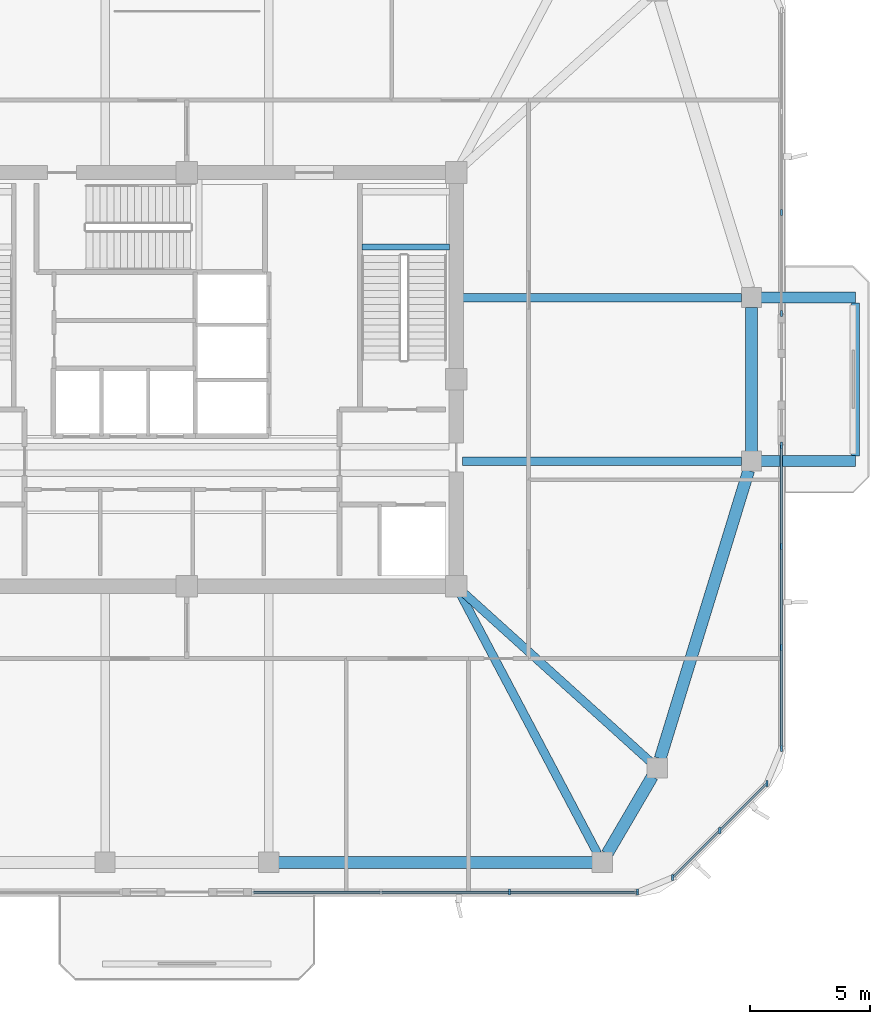
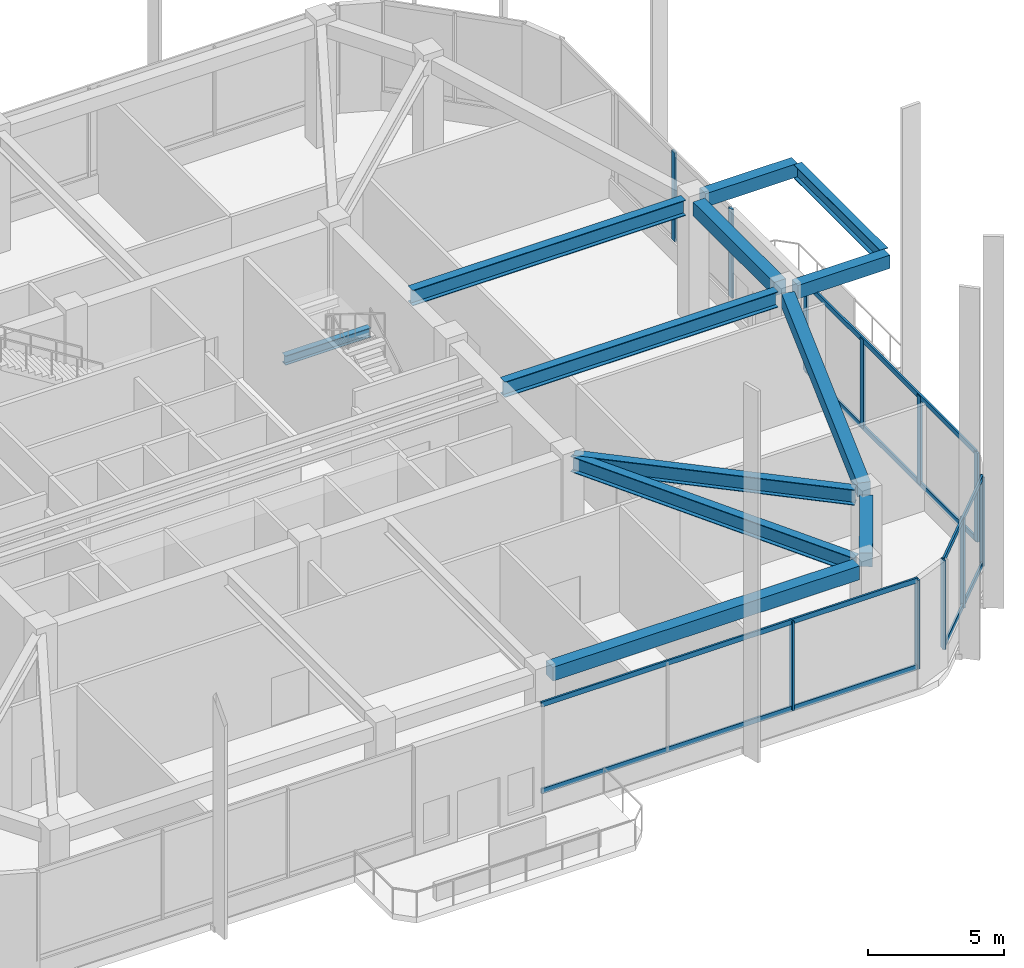
# One storey, part 3 of 14: 17 members, 12 beams, 4 elements without a shape of their own.
"""IFC4 building model written with IfcOpenShell, lengths in metres."""

from ifc_helpers import new_model, si_unit, derived_unit, direction, frame, origin, origin_2d, place, context, subcontext, project, spatial, rectangle, i_section, extrude, material, material_profile, profile_set, type_object, element, aggregate, save


model = new_model("IFC4")

# Units and contexts
model_context = context("Model", 3, precision=1e-05, world=origin(), true_north=direction((0.0, 1.0)))
body_context = subcontext(model_context, "Body", "Model", "MODEL_VIEW")
ifc_project = project(units=[si_unit("LENGTHUNIT", "METRE"), si_unit("AREAUNIT", "SQUARE_METRE"), si_unit("VOLUMEUNIT", "CUBIC_METRE"), si_unit("PLANEANGLEUNIT", "RADIAN"), si_unit("MASSUNIT", "GRAM", prefix="KILO"), derived_unit("THERMALTRANSMITTANCEUNIT", [(si_unit("POWERUNIT", "WATT"), 1), (si_unit("LENGTHUNIT", "METRE"), -2), (si_unit("THERMODYNAMICTEMPERATUREUNIT", "KELVIN"), -1)])], contexts=[model_context])

# Site, building, storey
site_placement = place(None, origin())
site = spatial("IfcSite", under=ifc_project, at=site_placement, CompositionType="ELEMENT")
building_placement = place(site_placement, origin())
building = spatial("IfcBuilding", under=site, at=building_placement, Name="Koralith Skygarden Medical Center", CompositionType="ELEMENT")
storey_placement = place(building_placement, frame((0.0, 0.0, 237.06005859375)))
storey = spatial("IfcBuildingStorey", under=building, at=storey_placement, Name="L61", CompositionType="ELEMENT", Elevation=237.06005859375)

# Curtain wall, members
ifc_material_1 = material(Name="Clear Laminated Glass", Category="glass")
curtain_wall_type = type_object("IfcCurtainWallType", Name="CW-7 Sky-Garden & Pool Conservatory Wall", PredefinedType="NOTDEFINED", material=ifc_material_1)
curtain_wall_1_placement = place(storey_placement, origin())
curtain_wall_1 = element("IfcCurtainWall", 1, at=curtain_wall_1_placement, inside=storey, type_object=curtain_wall_type, Name="Curtain Wall CW-L61-S-R", PredefinedType="NOTDEFINED")
ifc_material_2 = material(Name="Aluminium 6063-T6", Category="aluminium")
ifc_material_profile_1 = material_profile(ifc_material_2, rectangle(XDim=0.0859375, YDim=0.25, at=origin_2d()), Name="MUL86X250")
ifc_profile_set_1 = profile_set([ifc_material_profile_1], Name="Aluminium 6063-T6")
member_type_1 = type_object("IfcMemberType", Name="CW-7 Extruded Mullion 86x250", PredefinedType="MULLION", material=ifc_profile_set_1)
member_1_placement = place(storey_placement, frame((50.409912109375, 4.580078125, 0.849853515625), z_axis=(0.0, 0.0, 1.0), x_axis=(1.0, 0.0, 0.0)))
member_1 = element("IfcMember", 2, at=member_1_placement, type_object=member_type_1, Name="CW-L61-S-R Mullion 3", PredefinedType="MULLION", context=body_context, shape_type="SweptSolid", body=[
    extrude(rectangle(XDim=0.0859375, YDim=0.25, at=origin_2d()), origin(), (0.0, 0.0, 1.0), 4.0),
])
member_2_placement = place(storey_placement, frame((55.7451171875, 4.580078125, 0.849853515625), z_axis=(0.0, 0.0, 1.0), x_axis=(1.0, 0.0, 0.0)))
member_2 = element("IfcMember", 3, at=member_2_placement, type_object=member_type_1, Name="CW-L61-S-R Mullion 4", PredefinedType="MULLION", context=body_context, shape_type="SweptSolid", body=[
    extrude(rectangle(XDim=0.0859375, YDim=0.25, at=origin_2d()), origin(), (0.0, 0.0, 1.0), 4.0),
])

curtain_wall_2_placement = place(storey_placement, origin())
curtain_wall_2 = element("IfcCurtainWall", 4, at=curtain_wall_2_placement, inside=storey, type_object=curtain_wall_type, Name="Curtain Wall CW-L61-SE", PredefinedType="NOTDEFINED")
member_3_placement = place(storey_placement, frame((57.196044921875, 5.180908203125, 0.849853515625), z_axis=(0.0, 0.0, 1.0), x_axis=(1.0, 0.0, 0.0)))
member_3 = element("IfcMember", 5, at=member_3_placement, type_object=member_type_1, Name="CW-L61-SE Mullion 1", PredefinedType="MULLION", context=body_context, shape_type="SweptSolid", body=[
    extrude(rectangle(XDim=0.0859375, YDim=0.25, at=origin_2d()), origin(), (0.0, 0.0, 1.0), 4.0),
])
member_4_placement = place(storey_placement, frame((59.156982421875, 7.14306640625, 0.849853515625), z_axis=(0.0, 0.0, 1.0), x_axis=(1.0, 0.0, 0.0)))
member_4 = element("IfcMember", 6, at=member_4_placement, type_object=member_type_1, Name="CW-L61-SE Mullion 2", PredefinedType="MULLION", context=body_context, shape_type="SweptSolid", body=[
    extrude(rectangle(XDim=0.0859375, YDim=0.25, at=origin_2d()), origin(), (0.0, 0.0, 1.0), 4.0),
])
member_5_placement = place(storey_placement, frame((61.118896484375, 9.10400390625, 0.849853515625), z_axis=(0.0, 0.0, 1.0), x_axis=(1.0, 0.0, 0.0)))
member_5 = element("IfcMember", 7, at=member_5_placement, type_object=member_type_1, Name="CW-L61-SE Mullion 3", PredefinedType="MULLION", context=body_context, shape_type="SweptSolid", body=[
    extrude(rectangle(XDim=0.0859375, YDim=0.25, at=origin_2d()), origin(), (0.0, 0.0, 1.0), 4.0),
])

curtain_wall_3_placement = place(storey_placement, origin())
curtain_wall_3 = element("IfcCurtainWall", 8, at=curtain_wall_3_placement, inside=storey, type_object=curtain_wall_type, Name="Curtain Wall CW-L61-E-L", PredefinedType="NOTDEFINED")
member_6_placement = place(storey_placement, frame((61.719970703125, 10.554931640625, 0.849853515625), z_axis=(0.0, 0.0, 1.0), x_axis=(1.0, 0.0, 0.0)))
member_6 = element("IfcMember", 9, at=member_6_placement, type_object=member_type_1, Name="CW-L61-E-L Mullion 1", PredefinedType="MULLION", context=body_context, shape_type="SweptSolid", body=[
    extrude(rectangle(XDim=0.0859375, YDim=0.25, at=origin_2d()), origin(), (0.0, 0.0, 1.0), 4.0),
])
member_7_placement = place(storey_placement, frame((61.719970703125, 14.757080078125, 0.849853515625), z_axis=(0.0, 0.0, 1.0), x_axis=(1.0, 0.0, 0.0)))
member_7 = element("IfcMember", 10, at=member_7_placement, type_object=member_type_1, Name="CW-L61-E-L Mullion 2", PredefinedType="MULLION", context=body_context, shape_type="SweptSolid", body=[
    extrude(rectangle(XDim=0.0859375, YDim=0.25, at=origin_2d()), origin(), (0.0, 0.0, 1.0), 4.0),
])
member_8_placement = place(storey_placement, frame((61.719970703125, 18.9580078125, 0.849853515625), z_axis=(0.0, 0.0, 1.0), x_axis=(1.0, 0.0, 0.0)))
member_8 = element("IfcMember", 11, at=member_8_placement, type_object=member_type_1, Name="CW-L61-E-L Mullion 3", PredefinedType="MULLION", context=body_context, shape_type="SweptSolid", body=[
    extrude(rectangle(XDim=0.0859375, YDim=0.25, at=origin_2d()), origin(), (0.0, 0.0, 1.0), 4.0),
])
member_9_placement = place(storey_placement, frame((61.719970703125, 23.159912109375, 0.849853515625), z_axis=(0.0, 0.0, 1.0), x_axis=(1.0, 0.0, 0.0)))
member_9 = element("IfcMember", 12, at=member_9_placement, type_object=member_type_1, Name="CW-L61-E-L Mullion 4", PredefinedType="MULLION", context=body_context, shape_type="SweptSolid", body=[
    extrude(rectangle(XDim=0.0859375, YDim=0.25, at=origin_2d()), origin(), (0.0, 0.0, 1.0), 4.0),
])

curtain_wall_4_placement = place(storey_placement, origin())
curtain_wall_4 = element("IfcCurtainWall", 13, at=curtain_wall_4_placement, inside=storey, type_object=curtain_wall_type, Name="Curtain Wall CW-L61-E-R", PredefinedType="NOTDEFINED")
member_10_placement = place(storey_placement, frame((61.719970703125, 28.639892578125, 0.849853515625), z_axis=(0.0, 0.0, 1.0), x_axis=(1.0, 0.0, 0.0)))
member_10 = element("IfcMember", 14, at=member_10_placement, type_object=member_type_1, Name="CW-L61-E-R Mullion 1", PredefinedType="MULLION", context=body_context, shape_type="SweptSolid", body=[
    extrude(rectangle(XDim=0.0859375, YDim=0.25, at=origin_2d()), origin(), (0.0, 0.0, 1.0), 4.0),
])
member_11_placement = place(storey_placement, frame((61.719970703125, 32.842041015625, 0.849853515625), z_axis=(0.0, 0.0, 1.0), x_axis=(1.0, 0.0, 0.0)))
member_11 = element("IfcMember", 15, at=member_11_placement, type_object=member_type_1, Name="CW-L61-E-R Mullion 2", PredefinedType="MULLION", context=body_context, shape_type="SweptSolid", body=[
    extrude(rectangle(XDim=0.0859375, YDim=0.25, at=origin_2d()), origin(), (0.0, 0.0, 1.0), 4.0),
])
aggregate(curtain_wall_4, [member_10, member_11])

# Member
ifc_material_profile_2 = material_profile(ifc_material_2, rectangle(XDim=0.0810546875, YDim=0.22509765625, at=origin_2d()), Name="TRN81X225")
ifc_profile_set_2 = profile_set([ifc_material_profile_2], Name="Aluminium 6063-T6")
member_type_2 = type_object("IfcMemberType", Name="CW-7 Thermal Transom 81x225", PredefinedType="USERDEFINED", material=ifc_profile_set_2)
member_12_placement = place(storey_placement, frame((39.739013671875, 4.580078125, 0.89990234375), z_axis=(1.0, 0.0, 0.0), x_axis=(0.0, 1.0, 0.0)))
member_12 = element("IfcMember", 16, at=member_12_placement, type_object=member_type_2, Name="CW-L61-S-R Transom 1", ObjectType="TRANSOM", PredefinedType="USERDEFINED", context=body_context, shape_type="SweptSolid", body=[
    extrude(rectangle(XDim=0.0810546875, YDim=0.22509765625, at=origin_2d()), origin(), (0.0, 0.0, 1.0), 16.006103515625),
])

member_13_placement = place(storey_placement, frame((39.739013671875, 4.580078125, 4.800048828125), z_axis=(1.0, 0.0, 0.0), x_axis=(0.0, 1.0, 0.0)))
member_13 = element("IfcMember", 17, at=member_13_placement, type_object=member_type_2, Name="CW-L61-S-R Transom 2", ObjectType="TRANSOM", PredefinedType="USERDEFINED", context=body_context, shape_type="SweptSolid", body=[
    extrude(rectangle(XDim=0.0810546875, YDim=0.22509765625, at=origin_2d()), origin(), (0.0, 0.0, 1.0), 16.006103515625),
])

aggregate(curtain_wall_1, [member_1, member_2, member_12, member_13])

member_14_placement = place(storey_placement, frame((57.196044921875, 5.180908203125, 0.89990234375), z_axis=(0.707084777957, 0.707128783731, 0.0), x_axis=(-0.707128783731, 0.707084777957, 0.0)))
member_14 = element("IfcMember", 18, at=member_14_placement, type_object=member_type_2, Name="CW-L61-SE Transom 1", ObjectType="TRANSOM", PredefinedType="USERDEFINED", context=body_context, shape_type="SweptSolid", body=[
    extrude(rectangle(XDim=0.0810546875, YDim=0.22509765625, at=origin_2d()), origin(), (0.0, 0.0, 1.0), 5.5478515625),
])

member_15_placement = place(storey_placement, frame((57.196044921875, 5.180908203125, 4.800048828125), z_axis=(0.707084777957, 0.707128783731, 0.0), x_axis=(-0.707128783731, 0.707084777957, 0.0)))
member_15 = element("IfcMember", 19, at=member_15_placement, type_object=member_type_2, Name="CW-L61-SE Transom 2", ObjectType="TRANSOM", PredefinedType="USERDEFINED", context=body_context, shape_type="SweptSolid", body=[
    extrude(rectangle(XDim=0.0810546875, YDim=0.22509765625, at=origin_2d()), origin(), (0.0, 0.0, 1.0), 5.5478515625),
])

aggregate(curtain_wall_2, [member_3, member_4, member_5, member_14, member_15])

member_16_placement = place(storey_placement, frame((61.719970703125, 10.554931640625, 0.89990234375), z_axis=(0.0, 1.0, 0.0), x_axis=(-1.0, 0.0, 0.0)))
member_16 = element("IfcMember", 20, at=member_16_placement, type_object=member_type_2, Name="CW-L61-E-L Transom 1", ObjectType="TRANSOM", PredefinedType="USERDEFINED", context=body_context, shape_type="SweptSolid", body=[
    extrude(rectangle(XDim=0.0810546875, YDim=0.22509765625, at=origin_2d()), origin(), (0.0, 0.0, 1.0), 12.60498046875),
])

member_17_placement = place(storey_placement, frame((61.719970703125, 10.554931640625, 4.800048828125), z_axis=(0.0, 1.0, 0.0), x_axis=(-1.0, 0.0, 0.0)))
member_17 = element("IfcMember", 21, at=member_17_placement, type_object=member_type_2, Name="CW-L61-E-L Transom 2", ObjectType="TRANSOM", PredefinedType="USERDEFINED", context=body_context, shape_type="SweptSolid", body=[
    extrude(rectangle(XDim=0.0810546875, YDim=0.22509765625, at=origin_2d()), origin(), (0.0, 0.0, 1.0), 12.60498046875),
])

aggregate(curtain_wall_3, [member_6, member_7, member_8, member_9, member_16, member_17])

# Beams
ifc_material_3 = material(Name="Steel ASTM A992 Grade 50", Category="steel")
ifc_material_profile_3 = material_profile(ifc_material_3, i_section(OverallWidth=0.326904296875, OverallDepth=0.6220703125, WebThickness=0.015380859375, FlangeThickness=0.0244140625, at=origin_2d()), Name="W24X131")
ifc_profile_set_3 = profile_set([ifc_material_profile_3], Name="Steel ASTM A992 Grade 50")
beam_type_1 = type_object("IfcBeamType", Name="Cantilever Tie Beam W24X131", PredefinedType="BEAM", material=ifc_profile_set_3)
beam_1_placement = place(storey_placement, frame((64.800048828125, 22.719970703125, 5.18896484375), z_axis=(0.0, 1.0, 0.0), x_axis=(-1.0, 0.0, 0.0)))
element("IfcBeam", 22, at=beam_1_placement, inside=storey, type_object=beam_type_1, Name="L62 E Balcony Tip Tie Beam", PredefinedType="BEAM", context=body_context, shape_type="SweptSolid", body=[
    extrude(i_section(OverallWidth=0.326904296875, OverallDepth=0.6220703125, WebThickness=0.015380859375, FlangeThickness=0.0244140625, at=origin_2d()), origin(), (0.0, 0.0, 1.0), 6.360107421875),
])
ifc_material_profile_4 = material_profile(ifc_material_3, i_section(OverallWidth=0.260009765625, OverallDepth=0.4150390625, WebThickness=0.010009765625, FlangeThickness=0.016845703125, at=origin_2d()), Name="W16X67")
ifc_profile_set_4 = profile_set([ifc_material_profile_4], Name="Steel ASTM A992 Grade 50")
beam_type_2 = type_object("IfcBeamType", Name="Clinical Floor Joist W16X67", PredefinedType="JOIST", material=ifc_profile_set_4)
beam_2_placement = place(storey_placement, frame((44.280029296875, 31.39990234375, 2.471923828125), z_axis=(1.0, 0.0, 0.0), x_axis=(0.0, 1.0, 0.0)))
element("IfcBeam", 23, at=beam_2_placement, inside=storey, type_object=beam_type_2, Name="L61 Stair ST2 Half-Landing Support Beam 1A", PredefinedType="JOIST", context=body_context, shape_type="SweptSolid", body=[
    extrude(i_section(OverallWidth=0.260009765625, OverallDepth=0.4150390625, WebThickness=0.010009765625, FlangeThickness=0.016845703125, at=origin_2d()), origin(), (0.0, 0.0, 1.0), 3.639892578125),
])
ifc_material_4 = material(Name="Concrete C45/55", Category="concrete")
ifc_material_profile_5 = material_profile(ifc_material_4, rectangle(XDim=0.449951171875, YDim=0.60009765625, at=origin_2d()), Name="RCB450X600")
ifc_profile_set_5 = profile_set([ifc_material_profile_5], Name="Concrete C45/55")
beam_type_3 = type_object("IfcBeamType", Name="Planted Balcony Cantilever Beam RCB450X600", PredefinedType="BEAM", material=ifc_profile_set_5)
for number, where, z_axis, x_axis, name in (
    (24, (60.8798828125, 22.5, 5.199951171875), (1.0, 0.0, 0.0), (0.0, 1.0, 0.0), "L62 E Balcony Cantilever Beam A"),
    (25, (60.8798828125, 29.300048828125, 5.199951171875), (1.0, 0.0, 0.0), (0.0, 1.0, 0.0), "L62 E Balcony Cantilever Beam B"),
):
    element("IfcBeam", number, at=place(storey_placement, frame(where, z_axis=z_axis, x_axis=x_axis)), inside=storey, type_object=beam_type_3, Name=name, PredefinedType="BEAM", context=body_context, shape_type="SweptSolid", body=[
        extrude(rectangle(XDim=0.449951171875, YDim=0.60009765625, at=origin_2d()), origin(), (0.0, 0.0, 1.0), 3.920166015625),
    ])
ifc_material_profile_6 = material_profile(ifc_material_3, i_section(OverallWidth=0.35595703125, OverallDepth=0.700927734375, WebThickness=0.016845703125, FlangeThickness=0.02734375, at=origin_2d()), Name="W27X161")
ifc_profile_set_6 = profile_set([ifc_material_profile_6], Name="Steel ASTM A992 Grade 50")
beam_type_4 = type_object("IfcBeamType", Name="Sky-Lobby Radial Girder W27X161", PredefinedType="BEAM", material=ifc_profile_set_6)
beam_3_placement = place(storey_placement, frame((48.31689453125, 17.0791015625, 5.12890625), z_axis=(0.46724871287, -0.884125918816, 0.0), x_axis=(0.884125918816, 0.46724871287, 0.0)))
element("IfcBeam", 26, at=beam_3_placement, inside=storey, type_object=beam_type_4, Name="L61 Radial Collector Beam RB-06", PredefinedType="BEAM", context=body_context, shape_type="SweptSolid", body=[
    extrude(i_section(OverallWidth=0.35595703125, OverallDepth=0.700927734375, WebThickness=0.016845703125, FlangeThickness=0.02734375, at=origin_2d()), origin(), (0.0, 0.0, 1.0), 12.325439453125),
])
beam_4_placement = place(storey_placement, frame((48.385009765625, 17.132080078125, 5.12890625), z_axis=(0.741736323186, -0.670691603397, 0.0), x_axis=(0.670691603397, 0.741736323186, 0.0)))
element("IfcBeam", 27, at=beam_4_placement, inside=storey, type_object=beam_type_4, Name="L61 Radial Collector Beam RB-07", PredefinedType="BEAM", context=body_context, shape_type="SweptSolid", body=[
    extrude(i_section(OverallWidth=0.35595703125, OverallDepth=0.700927734375, WebThickness=0.016845703125, FlangeThickness=0.02734375, at=origin_2d()), origin(), (0.0, 0.0, 1.0), 10.61181640625),
])
for number, where, z_axis, x_axis, name in (
    (28, (48.449951171875, 22.5, 5.12890625), (1.0, 0.0, 0.0), (0.0, 1.0, 0.0), "L61 Radial Collector Beam RB-08"),
    (29, (48.449951171875, 29.300048828125, 5.12890625), (1.0, 0.0, 0.0), (0.0, 1.0, 0.0), "L61 Radial Collector Beam RB-09"),
):
    element("IfcBeam", number, at=place(storey_placement, frame(where, z_axis=z_axis, x_axis=x_axis)), inside=storey, type_object=beam_type_4, Name=name, PredefinedType="BEAM", context=body_context, shape_type="SweptSolid", body=[
        extrude(i_section(OverallWidth=0.35595703125, OverallDepth=0.700927734375, WebThickness=0.016845703125, FlangeThickness=0.02734375, at=origin_2d()), origin(), (0.0, 0.0, 1.0), 11.6201171875),
    ])
ifc_material_profile_7 = material_profile(ifc_material_4, rectangle(XDim=0.5, YDim=0.6201171875, at=origin_2d()), Name="RCB500X620")
ifc_profile_set_7 = profile_set([ifc_material_profile_7], Name="Concrete C45/55")
beam_type_5 = type_object("IfcBeamType", Name="Zone 4-5 Spandrel Beam RCB500X620", PredefinedType="SPANDREL", material=ifc_profile_set_7)
beam_5_placement = place(storey_placement, frame((40.81005859375, 5.820068359375, 5.169921875), z_axis=(1.0, 0.0, 0.0), x_axis=(0.0, 1.0, 0.0)))
element("IfcBeam", 30, at=beam_5_placement, inside=storey, type_object=beam_type_5, Name="L61 Perimeter Spandrel Beam SP-05", PredefinedType="SPANDREL", context=body_context, shape_type="SweptSolid", body=[
    extrude(rectangle(XDim=0.5, YDim=0.6201171875, at=origin_2d()), origin(), (0.0, 0.0, 1.0), 13.0478515625),
])
beam_6_placement = place(storey_placement, frame((54.47509765625, 6.174072265625, 5.169921875), z_axis=(0.50473571007, 0.863273921175, 0.0), x_axis=(-0.863273921175, 0.50473571007, 0.0)))
element("IfcBeam", 31, at=beam_6_placement, inside=storey, type_object=beam_type_5, Name="L61 Perimeter Spandrel Beam SP-06", PredefinedType="SPANDREL", context=body_context, shape_type="SweptSolid", body=[
    extrude(rectangle(XDim=0.5, YDim=0.6201171875, at=origin_2d()), origin(), (0.0, 0.0, 1.0), 3.720703125),
])
beam_7_placement = place(storey_placement, frame((56.679931640625, 10.132080078125, 5.169921875), z_axis=(0.293743494914, 0.955884281279, 0.0), x_axis=(-0.955884281279, 0.293743494914, 0.0)))
element("IfcBeam", 32, at=beam_7_placement, inside=storey, type_object=beam_type_5, Name="L61 Perimeter Spandrel Beam SP-07", PredefinedType="SPANDREL", context=body_context, shape_type="SweptSolid", body=[
    extrude(rectangle(XDim=0.5, YDim=0.6201171875, at=origin_2d()), origin(), (0.0, 0.0, 1.0), 12.528564453125),
])
beam_8_placement = place(storey_placement, frame((60.47998046875, 22.909912109375, 5.169921875), z_axis=(0.0, 1.0, 0.0), x_axis=(-1.0, 0.0, 0.0)))
element("IfcBeam", 33, at=beam_8_placement, inside=storey, type_object=beam_type_5, Name="L61 Perimeter Spandrel Beam SP-08", PredefinedType="SPANDREL", context=body_context, shape_type="SweptSolid", body=[
    extrude(rectangle(XDim=0.5, YDim=0.6201171875, at=origin_2d()), origin(), (0.0, 0.0, 1.0), 5.97998046875),
])

save(model, "model.ifc")
